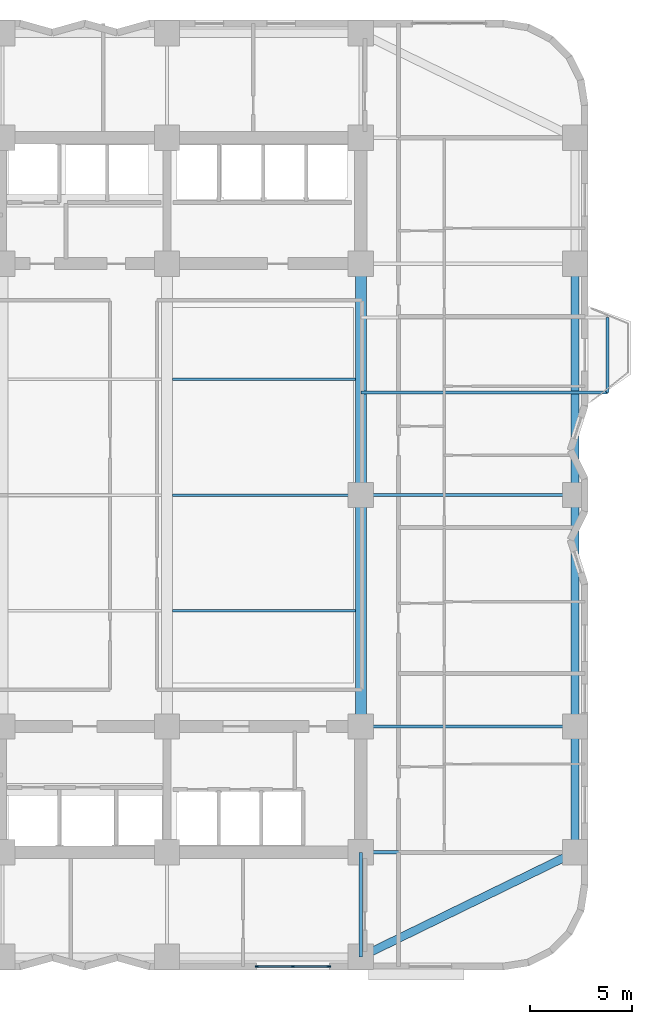
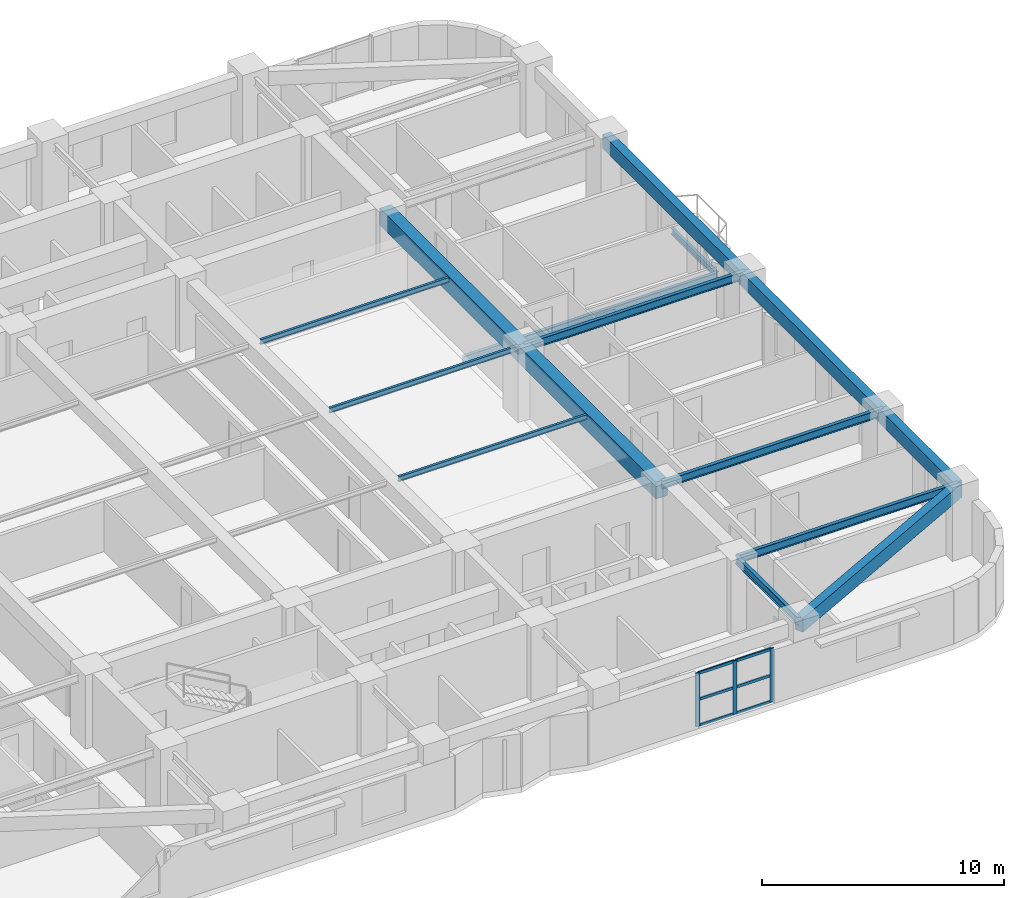
# One storey, part 2 of 13: 15 beams, 9 members, 1 element without a shape of its own.
"""IFC4 building model written with IfcOpenShell, lengths in metres."""

from ifc_helpers import new_model, si_unit, direction, frame, origin, origin_2d, place, context, subcontext, project, spatial, rectangle, i_section, extrude, material, material_profile, profile_set, type_object, element, aggregate, save


model = new_model("IFC4")

# Units and contexts
model_context = context("Model", 3, precision=1e-05, world=origin(), true_north=direction((0.0, 1.0)))
body_context = subcontext(model_context, "Body", "Model", "MODEL_VIEW")
ifc_project = project(units=[si_unit("LENGTHUNIT", "METRE"), si_unit("AREAUNIT", "SQUARE_METRE"), si_unit("VOLUMEUNIT", "CUBIC_METRE"), si_unit("PLANEANGLEUNIT", "RADIAN"), si_unit("MASSUNIT", "GRAM", prefix="KILO")], contexts=[model_context])

# Site, building, storey
site_placement = place(None, origin())
site = spatial("IfcSite", under=ifc_project, at=site_placement, CompositionType="ELEMENT")
building_placement = place(site_placement, origin())
building = spatial("IfcBuilding", under=site, at=building_placement, Name="Svetorya Sky Lyceum", CompositionType="ELEMENT")
storey_placement = place(building_placement, frame((0.0, 0.0, 58.39990234375)))
storey = spatial("IfcBuildingStorey", under=building, at=storey_placement, Name="L14", CompositionType="ELEMENT", Elevation=58.39990234375)

# Beams
ifc_material_1 = material(Name="Concrete C50/60", Category="concrete")
ifc_material_profile_1 = material_profile(ifc_material_1, rectangle(XDim=0.550048828125, YDim=0.85009765625, at=origin_2d()), Name="RC BEAM 550x850")
ifc_profile_set_1 = profile_set([ifc_material_profile_1], Name="Concrete C50/60")
beam_type_1 = type_object("IfcBeamType", Name="BM-RC-850", PredefinedType="BEAM", material=ifc_profile_set_1)
beam_1_placement = place(storey_placement, frame((52.800048828125, 16.800048828125, 2.9951171875), z_axis=(0.0, 1.0, 0.0), x_axis=(-1.0, 0.0, 0.0)))
element("IfcBeam", 1, at=beam_1_placement, inside=storey, type_object=beam_type_1, Name="L14 Central Bay Primary Girder CG-4A", PredefinedType="BEAM", context=body_context, shape_type="SweptSolid", body=[
    extrude(rectangle(XDim=0.550048828125, YDim=0.85009765625, at=origin_2d()), origin(), (0.0, 0.0, 1.0), 11.39990234375),
])
beam_2_placement = place(storey_placement, frame((52.800048828125, 28.199951171875, 2.9951171875), z_axis=(0.0, 1.0, 0.0), x_axis=(-1.0, 0.0, 0.0)))
element("IfcBeam", 2, at=beam_2_placement, inside=storey, type_object=beam_type_1, Name="L14 Central Bay Primary Girder CG-4B", PredefinedType="BEAM", context=body_context, shape_type="SweptSolid", body=[
    extrude(rectangle(XDim=0.550048828125, YDim=0.85009765625, at=origin_2d()), origin(), (0.0, 0.0, 1.0), 11.400146484375),
])
ifc_material_profile_2 = material_profile(ifc_material_1, rectangle(XDim=0.39990234375, YDim=0.699951171875, at=origin_2d()), Name="RC SPANDREL 400x700")
ifc_profile_set_2 = profile_set([ifc_material_profile_2], Name="Concrete C50/60")
beam_type_2 = type_object("IfcBeamType", Name="BM-SPN-700", PredefinedType="SPANDREL", material=ifc_profile_set_2)
beam_3_placement = place(storey_placement, frame((52.800048828125, 5.449951171875, 3.070068359375), z_axis=(0.898641495694, 0.438683783854, 0.0), x_axis=(-0.438683783854, 0.898641495694, 0.0)))
element("IfcBeam", 3, at=beam_3_placement, inside=storey, type_object=beam_type_2, Name="L14 Corner Spandrel 2", PredefinedType="SPANDREL", context=body_context, shape_type="SweptSolid", body=[
    extrude(rectangle(XDim=0.39990234375, YDim=0.699951171875, at=origin_2d()), origin(), (0.0, 0.0, 1.0), 11.739990234375),
])
beam_4_placement = place(storey_placement, frame((63.35009765625, 10.60009765625, 3.070068359375), z_axis=(0.0, 1.0, 0.0), x_axis=(-1.0, 0.0, 0.0)))
element("IfcBeam", 4, at=beam_4_placement, inside=storey, type_object=beam_type_2, Name="L14 East Spandrel 1", PredefinedType="SPANDREL", context=body_context, shape_type="SweptSolid", body=[
    extrude(rectangle(XDim=0.39990234375, YDim=0.699951171875, at=origin_2d()), origin(), (0.0, 0.0, 1.0), 6.199951171875),
])
beam_5_placement = place(storey_placement, frame((63.35009765625, 16.800048828125, 3.070068359375), z_axis=(0.0, 1.0, 0.0), x_axis=(-1.0, 0.0, 0.0)))
element("IfcBeam", 5, at=beam_5_placement, inside=storey, type_object=beam_type_2, Name="L14 East Spandrel 2", PredefinedType="SPANDREL", context=body_context, shape_type="SweptSolid", body=[
    extrude(rectangle(XDim=0.39990234375, YDim=0.699951171875, at=origin_2d()), origin(), (0.0, 0.0, 1.0), 11.39990234375),
])
beam_6_placement = place(storey_placement, frame((63.35009765625, 28.199951171875, 3.070068359375), z_axis=(0.0, 1.0, 0.0), x_axis=(-1.0, 0.0, 0.0)))
element("IfcBeam", 6, at=beam_6_placement, inside=storey, type_object=beam_type_2, Name="L14 East Spandrel 3", PredefinedType="SPANDREL", context=body_context, shape_type="SweptSolid", body=[
    extrude(rectangle(XDim=0.39990234375, YDim=0.699951171875, at=origin_2d()), origin(), (0.0, 0.0, 1.0), 11.400146484375),
])
ifc_material_2 = material(Name="Steel S355", Category="steel")
ifc_material_profile_3 = material_profile(ifc_material_2, i_section(OverallWidth=0.1240234375, OverallDepth=0.248046875, WebThickness=0.006103515625, FlangeThickness=0.009521484375, at=origin_2d()), Name="GOST 25B2")
ifc_profile_set_3 = profile_set([ifc_material_profile_3], Name="Steel S355")
beam_type_3 = type_object("IfcBeamType", Name="BM-STL-25B2", PredefinedType="JOIST", material=ifc_profile_set_3)
for number, where, z_axis, x_axis, name in (
    (7, (43.52490234375, 22.5, 3.296142578125), (1.0, 0.0, 0.0), (0.0, 1.0, 0.0), "L14 Central Floor Joist CJ-1.3"),
    (8, (43.52490234375, 28.199951171875, 3.296142578125), (1.0, 0.0, 0.0), (0.0, 1.0, 0.0), "L14 Central Floor Joist CJ-2.3"),
    (9, (43.52490234375, 33.89990234375, 3.296142578125), (1.0, 0.0, 0.0), (0.0, 1.0, 0.0), "L14 Central Floor Joist CJ-3.3"),
):
    element("IfcBeam", number, at=place(storey_placement, frame(where, z_axis=z_axis, x_axis=x_axis)), inside=storey, type_object=beam_type_3, Name=name, PredefinedType="JOIST", context=body_context, shape_type="SweptSolid", body=[
        extrude(i_section(OverallWidth=0.1240234375, OverallDepth=0.248046875, WebThickness=0.006103515625, FlangeThickness=0.009521484375, at=origin_2d()), origin(), (0.0, 0.0, 1.0), 9.0),
    ])
ifc_material_profile_4 = material_profile(ifc_material_2, i_section(OverallWidth=0.14990234375, OverallDepth=0.299072265625, WebThickness=0.006591796875, FlangeThickness=0.010498046875, at=origin_2d()), Name="GOST 30B2")
ifc_profile_set_4 = profile_set([ifc_material_profile_4], Name="Steel S355")
beam_type_4 = type_object("IfcBeamType", Name="BM-STL-30B2", PredefinedType="JOIST", material=ifc_profile_set_4)
beam_7_placement = place(storey_placement, frame((64.949951171875, 33.25, -0.454345703125), z_axis=(0.0, 1.0, 0.0), x_axis=(-1.0, 0.0, 0.0)))
element("IfcBeam", 10, at=beam_7_placement, inside=storey, type_object=beam_type_4, Name="L14 Balcony Edge Tie BAL-E1", PredefinedType="JOIST", context=body_context, shape_type="SweptSolid", body=[
    extrude(i_section(OverallWidth=0.14990234375, OverallDepth=0.299072265625, WebThickness=0.006591796875, FlangeThickness=0.010498046875, at=origin_2d()), origin(), (0.0, 0.0, 1.0), 3.699951171875),
])
ifc_material_profile_5 = material_profile(ifc_material_2, i_section(OverallWidth=0.155029296875, OverallDepth=0.34912109375, WebThickness=0.007080078125, FlangeThickness=0.011474609375, at=origin_2d()), Name="GOST 35B2")
ifc_profile_set_5 = profile_set([ifc_material_profile_5], Name="Steel S355")
beam_type_5 = type_object("IfcBeamType", Name="BM-STL-35B2", PredefinedType="JOIST", material=ifc_profile_set_5)
beam_8_placement = place(storey_placement, frame((52.800048828125, 33.25, -0.454345703125), z_axis=(1.0, 0.0, 0.0), x_axis=(0.0, 1.0, 0.0)))
element("IfcBeam", 11, at=beam_8_placement, inside=storey, type_object=beam_type_5, Name="L14 Balcony Cantilever Beam BAL-E1-1", PredefinedType="JOIST", context=body_context, shape_type="SweptSolid", body=[
    extrude(i_section(OverallWidth=0.155029296875, OverallDepth=0.34912109375, WebThickness=0.007080078125, FlangeThickness=0.011474609375, at=origin_2d()), origin(), (0.0, 0.0, 1.0), 12.14990234375),
])
ifc_material_profile_6 = material_profile(ifc_material_2, i_section(OverallWidth=0.1650390625, OverallDepth=0.39990234375, WebThickness=0.008056640625, FlangeThickness=0.012939453125, at=origin_2d()), Name="GOST 40B2")
ifc_profile_set_6 = profile_set([ifc_material_profile_6], Name="Steel S355")
beam_type_6 = type_object("IfcBeamType", Name="BM-STL-40B2", PredefinedType="JOIST", material=ifc_profile_set_6)
for number, where, z_axis, x_axis, name in (
    (12, (52.800048828125, 10.60009765625, 3.22021484375), (1.0, 0.0, 0.0), (0.0, 1.0, 0.0), "L14 East Wing Floor Joist E1"),
    (13, (52.800048828125, 16.800048828125, 3.22021484375), (1.0, 0.0, 0.0), (0.0, 1.0, 0.0), "L14 East Wing Floor Joist E2"),
    (14, (52.800048828125, 28.199951171875, 3.22021484375), (1.0, 0.0, 0.0), (0.0, 1.0, 0.0), "L14 East Wing Floor Joist E3"),
):
    element("IfcBeam", number, at=place(storey_placement, frame(where, z_axis=z_axis, x_axis=x_axis)), inside=storey, type_object=beam_type_6, Name=name, PredefinedType="JOIST", context=body_context, shape_type="SweptSolid", body=[
        extrude(i_section(OverallWidth=0.1650390625, OverallDepth=0.39990234375, WebThickness=0.008056640625, FlangeThickness=0.012939453125, at=origin_2d()), origin(), (0.0, 0.0, 1.0), 10.550048828125),
    ])
beam_9_placement = place(storey_placement, frame((52.800048828125, 5.449951171875, 3.22021484375), z_axis=(0.0, 1.0, 0.0), x_axis=(-1.0, 0.0, 0.0)))
element("IfcBeam", 15, at=beam_9_placement, inside=storey, type_object=beam_type_6, Name="L14 South Bay Floor Girder S4", PredefinedType="JOIST", context=body_context, shape_type="SweptSolid", body=[
    extrude(i_section(OverallWidth=0.1650390625, OverallDepth=0.39990234375, WebThickness=0.008056640625, FlangeThickness=0.012939453125, at=origin_2d()), origin(), (0.0, 0.0, 1.0), 5.150146484375),
])

# Curtain wall, members
ifc_material_3 = material(Name="Thermally broken anodized aluminium and triple low-E glass", Category="aluminium")
curtain_wall_type = type_object("IfcCurtainWallType", Name="CW3-LOG-RES", PredefinedType="NOTDEFINED", material=ifc_material_3)
curtain_wall_placement = place(storey_placement, origin())
curtain_wall = element("IfcCurtainWall", 16, at=curtain_wall_placement, inside=storey, type_object=curtain_wall_type, Name="L14 Recessed Loggia Curtain Wall 11", PredefinedType="NOTDEFINED")
ifc_material_4 = material(Name="Thermally broken anodized aluminium EN AW-6060", Category="aluminium")
ifc_material_profile_7 = material_profile(ifc_material_4, rectangle(XDim=0.06494140625, YDim=0.179931640625, at=origin_2d()), Name="ALU MULLION 65x180")
ifc_profile_set_7 = profile_set([ifc_material_profile_7], Name="Thermally broken anodized aluminium EN AW-6060")
member_type_1 = type_object("IfcMemberType", Name="CWM-MUL-180", PredefinedType="MULLION", material=ifc_profile_set_7)
member_1_placement = place(storey_placement, frame((47.6826171875, 4.969970703125, 0.0), z_axis=(0.0, 0.0, 1.0), x_axis=(0.0, 1.0, 0.0)))
member_1 = element("IfcMember", 17, at=member_1_placement, type_object=member_type_1, Name="CW-3 mullion 1", PredefinedType="MULLION", context=body_context, shape_type="SweptSolid", body=[
    extrude(rectangle(XDim=0.06494140625, YDim=0.179931640625, at=origin_2d()), origin(), (0.0, 0.0, 1.0), 2.7001953125),
])
member_2_placement = place(storey_placement, frame((49.449951171875, 4.969970703125, 0.0), z_axis=(0.0, 0.0, 1.0), x_axis=(0.0, 1.0, 0.0)))
member_2 = element("IfcMember", 18, at=member_2_placement, type_object=member_type_1, Name="CW-3 mullion 2", PredefinedType="MULLION", context=body_context, shape_type="SweptSolid", body=[
    extrude(rectangle(XDim=0.06494140625, YDim=0.179931640625, at=origin_2d()), origin(), (0.0, 0.0, 1.0), 2.7001953125),
])
member_3_placement = place(storey_placement, frame((51.217529296875, 4.969970703125, 0.0), z_axis=(0.0, 0.0, 1.0), x_axis=(0.0, 1.0, 0.0)))
member_3 = element("IfcMember", 19, at=member_3_placement, type_object=member_type_1, Name="CW-3 mullion 3", PredefinedType="MULLION", context=body_context, shape_type="SweptSolid", body=[
    extrude(rectangle(XDim=0.06494140625, YDim=0.179931640625, at=origin_2d()), origin(), (0.0, 0.0, 1.0), 2.7001953125),
])
ifc_material_profile_8 = material_profile(ifc_material_4, rectangle(XDim=0.06494140625, YDim=0.139892578125, at=origin_2d()), Name="ALU TRANSOM 65x140")
ifc_profile_set_8 = profile_set([ifc_material_profile_8], Name="Thermally broken anodized aluminium EN AW-6060")
member_type_2 = type_object("IfcMemberType", Name="CWM-TRN-140", PredefinedType="USERDEFINED", material=ifc_profile_set_8)
member_4_placement = place(storey_placement, frame((47.71337890625, 4.969970703125, 0.03271484375), z_axis=(1.0, 0.0, 0.0), x_axis=(0.0, 1.0, 0.0)))
member_4 = element("IfcMember", 20, at=member_4_placement, type_object=member_type_2, Name="CW-3 transom 1.1", ObjectType="TRANSOM", PredefinedType="USERDEFINED", context=body_context, shape_type="SweptSolid", body=[
    extrude(rectangle(XDim=0.06494140625, YDim=0.139892578125, at=origin_2d()), origin(), (0.0, 0.0, 1.0), 1.70556640625),
])
member_5_placement = place(storey_placement, frame((47.71337890625, 4.969970703125, 1.35009765625), z_axis=(1.0, 0.0, 0.0), x_axis=(0.0, 1.0, 0.0)))
member_5 = element("IfcMember", 21, at=member_5_placement, type_object=member_type_2, Name="CW-3 transom 1.2", ObjectType="TRANSOM", PredefinedType="USERDEFINED", context=body_context, shape_type="SweptSolid", body=[
    extrude(rectangle(XDim=0.06494140625, YDim=0.139892578125, at=origin_2d()), origin(), (0.0, 0.0, 1.0), 1.70556640625),
])
member_6_placement = place(storey_placement, frame((47.71337890625, 4.969970703125, 2.66748046875), z_axis=(1.0, 0.0, 0.0), x_axis=(0.0, 1.0, 0.0)))
member_6 = element("IfcMember", 22, at=member_6_placement, type_object=member_type_2, Name="CW-3 transom 1.3", ObjectType="TRANSOM", PredefinedType="USERDEFINED", context=body_context, shape_type="SweptSolid", body=[
    extrude(rectangle(XDim=0.06494140625, YDim=0.139892578125, at=origin_2d()), origin(), (0.0, 0.0, 1.0), 1.70556640625),
])
member_7_placement = place(storey_placement, frame((49.48095703125, 4.969970703125, 0.03271484375), z_axis=(1.0, 0.0, 0.0), x_axis=(0.0, 1.0, 0.0)))
member_7 = element("IfcMember", 23, at=member_7_placement, type_object=member_type_2, Name="CW-3 transom 2.1", ObjectType="TRANSOM", PredefinedType="USERDEFINED", context=body_context, shape_type="SweptSolid", body=[
    extrude(rectangle(XDim=0.06494140625, YDim=0.139892578125, at=origin_2d()), origin(), (0.0, 0.0, 1.0), 1.70556640625),
])
member_8_placement = place(storey_placement, frame((49.48095703125, 4.969970703125, 1.35009765625), z_axis=(1.0, 0.0, 0.0), x_axis=(0.0, 1.0, 0.0)))
member_8 = element("IfcMember", 24, at=member_8_placement, type_object=member_type_2, Name="CW-3 transom 2.2", ObjectType="TRANSOM", PredefinedType="USERDEFINED", context=body_context, shape_type="SweptSolid", body=[
    extrude(rectangle(XDim=0.06494140625, YDim=0.139892578125, at=origin_2d()), origin(), (0.0, 0.0, 1.0), 1.70556640625),
])
member_9_placement = place(storey_placement, frame((49.48095703125, 4.969970703125, 2.66748046875), z_axis=(1.0, 0.0, 0.0), x_axis=(0.0, 1.0, 0.0)))
member_9 = element("IfcMember", 25, at=member_9_placement, type_object=member_type_2, Name="CW-3 transom 2.3", ObjectType="TRANSOM", PredefinedType="USERDEFINED", context=body_context, shape_type="SweptSolid", body=[
    extrude(rectangle(XDim=0.06494140625, YDim=0.139892578125, at=origin_2d()), origin(), (0.0, 0.0, 1.0), 1.70556640625),
])
aggregate(curtain_wall, [member_1, member_2, member_3, member_4, member_5, member_6, member_7, member_8, member_9])

save(model, "model.ifc")
